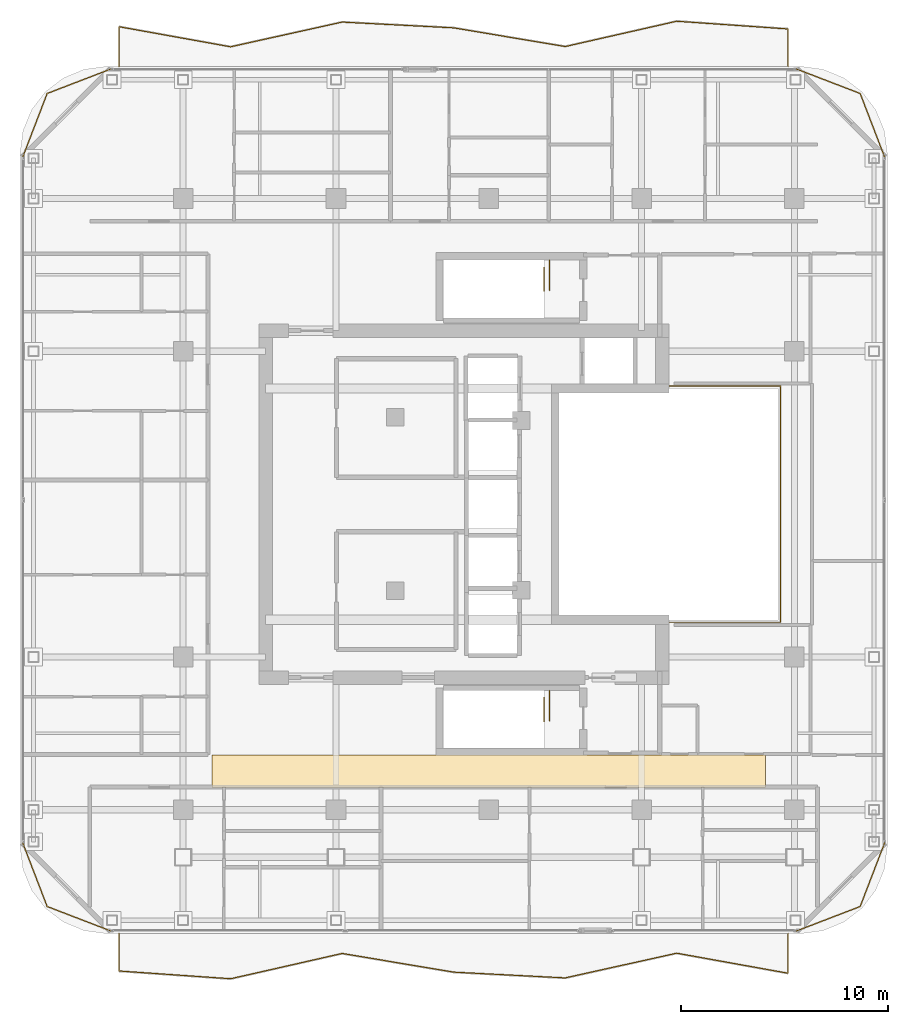
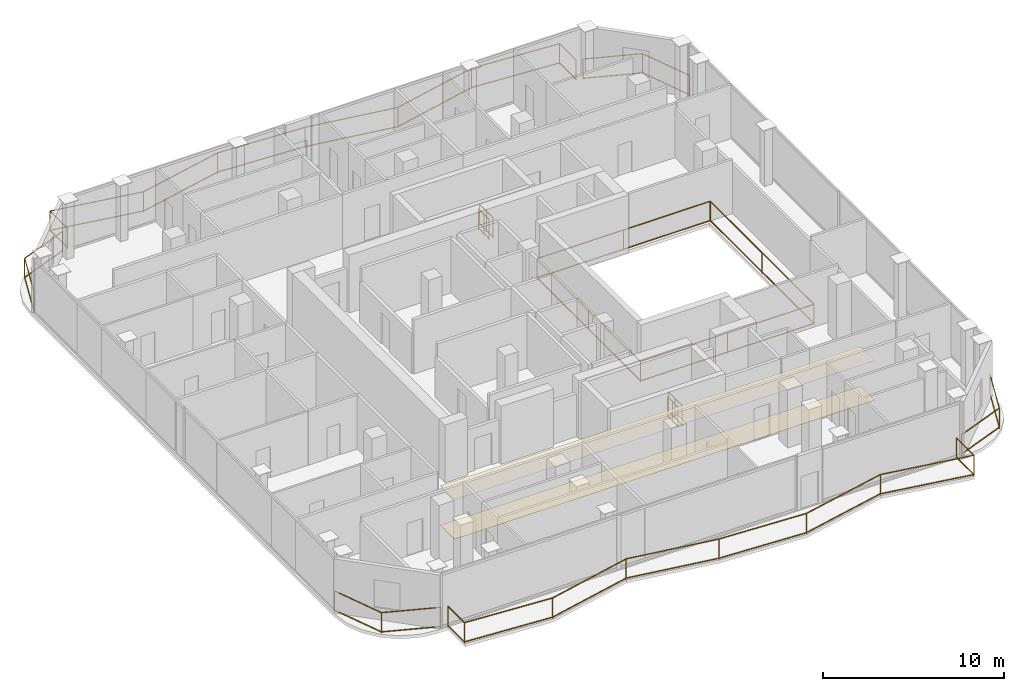
# One storey, part 22 of 22: 11 railings, 2 coverings.
"""IFC4 building model written with IfcOpenShell, lengths in metres."""

from ifc_helpers import new_model, si_unit, direction, frame, origin, origin_2d, place, context, subcontext, project, spatial, polyline, rectangle, outline, extrude, material, layer, layer_set, type_object, element, save


model = new_model("IFC4")

# Units and contexts
model_context = context("Model", 3, precision=1e-05, world=origin(), true_north=direction((0.0, 1.0)))
body_context = subcontext(model_context, "Body", "Model", "MODEL_VIEW")
ifc_project = project(units=[si_unit("LENGTHUNIT", "METRE"), si_unit("AREAUNIT", "SQUARE_METRE"), si_unit("VOLUMEUNIT", "CUBIC_METRE"), si_unit("PLANEANGLEUNIT", "RADIAN"), si_unit("MASSUNIT", "GRAM", prefix="KILO")], contexts=[model_context])

# Site, building, storey
site_placement = place(None, origin())
site = spatial("IfcSite", under=ifc_project, at=site_placement, CompositionType="ELEMENT")
building_placement = place(site_placement, origin())
building = spatial("IfcBuilding", under=site, at=building_placement, Name="Khorvyn Point Tower", CompositionType="ELEMENT")
storey_placement = place(building_placement, frame((0.0, 0.0, 309.300048828125)))
storey = spatial("IfcBuildingStorey", under=building, at=storey_placement, Name="L76", CompositionType="ELEMENT", Elevation=309.300048828125)

# Railings
ifc_material_1 = material(Name="Stainless steel 1.4401 and laminated glass", Category="steel")
railing_type_1 = type_object("IfcRailingType", Name="Crystal Atrium Smoke-Rated Perimeter Guardrail 1400", PredefinedType="GUARDRAIL", material=ifc_material_1)
railing_1_placement = place(storey_placement, frame((3.080078125, -5.719970703125, 0.0)))
element("IfcRailing", 1, at=railing_1_placement, inside=storey, type_object=railing_type_1, Name="L76 Crystal Atrium Perimeter Guardrail", PredefinedType="GUARDRAIL", context=body_context, shape_type="SweptSolid", body=[
    extrude(rectangle(XDim=0.048095703125, YDim=0.048095703125, at=origin_2d()), frame((0.0, 0.0, 1.3759765625), z_axis=(1.0, 0.0, 0.0), x_axis=(0.0, 1.0, 0.0)), (0.0, 0.0, 1.0), 11.0400390625),
    extrude(rectangle(XDim=0.048095703125, YDim=0.048095703125, at=origin_2d()), frame((0.0, 0.0, 0.080078125), z_axis=(1.0, 0.0, 0.0), x_axis=(0.0, 1.0, 0.0)), (0.0, 0.0, 1.0), 11.0400390625),
    extrude(rectangle(XDim=0.048095703125, YDim=0.048095703125, at=origin_2d()), frame((11.0400390625, 0.0, 1.3759765625), z_axis=(0.0, 1.0, 0.0), x_axis=(-1.0, 0.0, 0.0)), (0.0, 0.0, 1.0), 11.43994140625),
    extrude(rectangle(XDim=0.048095703125, YDim=0.048095703125, at=origin_2d()), frame((11.0400390625, 0.0, 0.080078125), z_axis=(0.0, 1.0, 0.0), x_axis=(-1.0, 0.0, 0.0)), (0.0, 0.0, 1.0), 11.43994140625),
    extrude(rectangle(XDim=0.048095703125, YDim=0.048095703125, at=origin_2d()), frame((11.0400390625, 11.43994140625, 1.3759765625), z_axis=(-1.0, 0.0, 0.0), x_axis=(0.0, -1.0, 0.0)), (0.0, 0.0, 1.0), 11.0400390625),
    extrude(rectangle(XDim=0.048095703125, YDim=0.048095703125, at=origin_2d()), frame((11.0400390625, 11.43994140625, 0.080078125), z_axis=(-1.0, 0.0, 0.0), x_axis=(0.0, -1.0, 0.0)), (0.0, 0.0, 1.0), 11.0400390625),
    extrude(rectangle(XDim=0.048095703125, YDim=0.048095703125, at=origin_2d()), frame((0.0, 11.43994140625, 1.3759765625), z_axis=(0.0, -1.0, 0.0), x_axis=(1.0, 0.0, 0.0)), (0.0, 0.0, 1.0), 11.409912109375),
    extrude(rectangle(XDim=0.048095703125, YDim=0.048095703125, at=origin_2d()), frame((0.0, 11.43994140625, 0.080078125), z_axis=(0.0, -1.0, 0.0), x_axis=(1.0, 0.0, 0.0)), (0.0, 0.0, 1.0), 11.409912109375),
    extrude(rectangle(XDim=0.0419921875, YDim=0.0419921875, at=origin_2d()), origin(), (0.0, 0.0, 1.0), 1.351806640625),
    extrude(rectangle(XDim=0.0419921875, YDim=0.0419921875, at=origin_2d()), frame((5.52001953125, 0.0, 0.0)), (0.0, 0.0, 1.0), 1.351806640625),
    extrude(rectangle(XDim=0.0419921875, YDim=0.0419921875, at=origin_2d()), frame((11.0400390625, 0.0, 0.0)), (0.0, 0.0, 1.0), 1.351806640625),
    extrude(rectangle(XDim=0.0419921875, YDim=0.0419921875, at=origin_2d()), frame((11.0400390625, 5.719970703125, 0.0)), (0.0, 0.0, 1.0), 1.351806640625),
    extrude(rectangle(XDim=0.0419921875, YDim=0.0419921875, at=origin_2d()), frame((11.0400390625, 11.43994140625, 0.0)), (0.0, 0.0, 1.0), 1.351806640625),
    extrude(rectangle(XDim=0.0419921875, YDim=0.0419921875, at=origin_2d()), frame((5.52001953125, 11.43994140625, 0.0)), (0.0, 0.0, 1.0), 1.351806640625),
    extrude(rectangle(XDim=0.0419921875, YDim=0.0419921875, at=origin_2d()), frame((0.0, 11.43994140625, 0.0)), (0.0, 0.0, 1.0), 1.351806640625),
    extrude(rectangle(XDim=0.0419921875, YDim=0.0419921875, at=origin_2d()), frame((0.0, 5.73486328125, 0.0)), (0.0, 0.0, 1.0), 1.351806640625),
    extrude(rectangle(XDim=0.0419921875, YDim=0.0419921875, at=origin_2d()), frame((0.0, 0.030029296875, 0.0)), (0.0, 0.0, 1.0), 1.351806640625),
])
ifc_material_2 = material(Name="Anodised aluminium 6063-T6 and laminated safety glass", Category="aluminium")
railing_type_2 = type_object("IfcRailingType", Name="Laminated Glass and Aluminium Balcony Guardrail 1400", PredefinedType="BALUSTRADE", material=ifc_material_2)
railing_2_placement = place(storey_placement, frame((-22.574462890625, -16.386474609375, 0.0)))
element("IfcRailing", 2, at=railing_2_placement, inside=storey, type_object=railing_type_2, Name="L76 Rounded Corner Edge Guardrail SW", PredefinedType="BALUSTRADE", context=body_context, shape_type="SweptSolid", body=[
    extrude(rectangle(XDim=0.048095703125, YDim=0.048095703125, at=origin_2d()), frame((0.0, 0.0, 1.3759765625), z_axis=(0.358367799998, -0.933580483903, 0.0), x_axis=(0.933580483903, 0.358367799998, 0.0)), (0.0, 0.0, 1.0), 3.319091796875),
    extrude(rectangle(XDim=0.048095703125, YDim=0.048095703125, at=origin_2d()), frame((0.0, 0.0, 0.080078125), z_axis=(0.358367799998, -0.933580483903, 0.0), x_axis=(0.933580483903, 0.358367799998, 0.0)), (0.0, 0.0, 1.0), 3.319091796875),
    extrude(rectangle(XDim=0.048095703125, YDim=0.048095703125, at=origin_2d()), frame((1.189453125, -3.0986328125, 1.3759765625), z_axis=(0.933595647299, -0.358328295484, 0.0), x_axis=(0.358328295484, 0.933595647299, 0.0)), (0.0, 0.0, 1.0), 3.31884765625),
    extrude(rectangle(XDim=0.048095703125, YDim=0.048095703125, at=origin_2d()), frame((1.189453125, -3.0986328125, 0.080078125), z_axis=(0.933595647299, -0.358328295484, 0.0), x_axis=(0.358328295484, 0.933595647299, 0.0)), (0.0, 0.0, 1.0), 3.31884765625),
    extrude(rectangle(XDim=0.0419921875, YDim=0.0419921875, at=origin_2d()), origin(), (0.0, 0.0, 1.0), 1.351806640625),
    extrude(rectangle(XDim=0.0419921875, YDim=0.0419921875, at=origin_2d()), frame((1.189453125, -3.0986328125, 0.0)), (0.0, 0.0, 1.0), 1.351806640625),
    extrude(rectangle(XDim=0.0419921875, YDim=0.0419921875, at=origin_2d()), frame((4.287841796875, -4.287841796875, 0.0)), (0.0, 0.0, 1.0), 1.351806640625),
])
railing_3_placement = place(storey_placement, frame((-18.28662109375, 21.074462890625, 0.0)))
element("IfcRailing", 3, at=railing_3_placement, inside=storey, type_object=railing_type_2, Name="L76 Rounded Corner Edge Guardrail NW", PredefinedType="BALUSTRADE", context=body_context, shape_type="SweptSolid", body=[
    extrude(rectangle(XDim=0.048095703125, YDim=0.048095703125, at=origin_2d()), frame((0.0, 0.0, 1.3759765625), z_axis=(-0.93357103624, -0.358392411044, 0.0), x_axis=(0.358392411044, -0.93357103624, 0.0)), (0.0, 0.0, 1.0), 3.31884765625),
    extrude(rectangle(XDim=0.048095703125, YDim=0.048095703125, at=origin_2d()), frame((0.0, 0.0, 0.080078125), z_axis=(-0.93357103624, -0.358392411044, 0.0), x_axis=(0.358392411044, -0.93357103624, 0.0)), (0.0, 0.0, 1.0), 3.31884765625),
    extrude(rectangle(XDim=0.048095703125, YDim=0.048095703125, at=origin_2d()), frame((-3.098388671875, -1.189453125, 1.3759765625), z_axis=(-0.358392411044, -0.93357103624, 0.0), x_axis=(0.93357103624, -0.358392411044, 0.0)), (0.0, 0.0, 1.0), 3.31884765625),
    extrude(rectangle(XDim=0.048095703125, YDim=0.048095703125, at=origin_2d()), frame((-3.098388671875, -1.189453125, 0.080078125), z_axis=(-0.358392411044, -0.93357103624, 0.0), x_axis=(0.93357103624, -0.358392411044, 0.0)), (0.0, 0.0, 1.0), 3.31884765625),
    extrude(rectangle(XDim=0.0419921875, YDim=0.0419921875, at=origin_2d()), origin(), (0.0, 0.0, 1.0), 1.351806640625),
    extrude(rectangle(XDim=0.0419921875, YDim=0.0419921875, at=origin_2d()), frame((-3.098388671875, -1.189453125, 0.0)), (0.0, 0.0, 1.0), 1.351806640625),
    extrude(rectangle(XDim=0.0419921875, YDim=0.0419921875, at=origin_2d()), frame((-4.287841796875, -4.287841796875, 0.0)), (0.0, 0.0, 1.0), 1.351806640625),
])
railing_4_placement = place(storey_placement, frame((19.17431640625, 16.78662109375, 0.0)))
element("IfcRailing", 4, at=railing_4_placement, inside=storey, type_object=railing_type_2, Name="L76 Rounded Corner Edge Guardrail NE", PredefinedType="BALUSTRADE", context=body_context, shape_type="SweptSolid", body=[
    extrude(rectangle(XDim=0.048095703125, YDim=0.048095703125, at=origin_2d()), frame((0.0, 0.0, 1.3759765625), z_axis=(-0.358328295484, 0.933595647299, 0.0), x_axis=(-0.933595647299, -0.358328295484, 0.0)), (0.0, 0.0, 1.0), 3.31884765625),
    extrude(rectangle(XDim=0.048095703125, YDim=0.048095703125, at=origin_2d()), frame((0.0, 0.0, 0.080078125), z_axis=(-0.358328295484, 0.933595647299, 0.0), x_axis=(-0.933595647299, -0.358328295484, 0.0)), (0.0, 0.0, 1.0), 3.31884765625),
    extrude(rectangle(XDim=0.048095703125, YDim=0.048095703125, at=origin_2d()), frame((-1.189208984375, 3.098388671875, 1.3759765625), z_axis=(-0.933580483903, 0.358367799998, 0.0), x_axis=(-0.358367799998, -0.933580483903, 0.0)), (0.0, 0.0, 1.0), 3.319091796875),
    extrude(rectangle(XDim=0.048095703125, YDim=0.048095703125, at=origin_2d()), frame((-1.189208984375, 3.098388671875, 0.080078125), z_axis=(-0.933580483903, 0.358367799998, 0.0), x_axis=(-0.358367799998, -0.933580483903, 0.0)), (0.0, 0.0, 1.0), 3.319091796875),
    extrude(rectangle(XDim=0.0419921875, YDim=0.0419921875, at=origin_2d()), origin(), (0.0, 0.0, 1.0), 1.351806640625),
    extrude(rectangle(XDim=0.0419921875, YDim=0.0419921875, at=origin_2d()), frame((-1.189208984375, 3.098388671875, 0.0)), (0.0, 0.0, 1.0), 1.351806640625),
    extrude(rectangle(XDim=0.0419921875, YDim=0.0419921875, at=origin_2d()), frame((-4.287841796875, 4.287841796875, 0.0)), (0.0, 0.0, 1.0), 1.351806640625),
])
railing_5_placement = place(storey_placement, frame((14.886474609375, -20.67431640625, 0.0)))
element("IfcRailing", 5, at=railing_5_placement, inside=storey, type_object=railing_type_2, Name="L76 Rounded Corner Edge Guardrail SE", PredefinedType="BALUSTRADE", context=body_context, shape_type="SweptSolid", body=[
    extrude(rectangle(XDim=0.048095703125, YDim=0.048095703125, at=origin_2d()), frame((0.0, 0.0, 1.3759765625), z_axis=(0.933605091831, 0.358303687544, 0.0), x_axis=(-0.358303687544, 0.933605091831, 0.0)), (0.0, 0.0, 1.0), 3.319091796875),
    extrude(rectangle(XDim=0.048095703125, YDim=0.048095703125, at=origin_2d()), frame((0.0, 0.0, 0.080078125), z_axis=(0.933605091831, 0.358303687544, 0.0), x_axis=(-0.358303687544, 0.933605091831, 0.0)), (0.0, 0.0, 1.0), 3.319091796875),
    extrude(rectangle(XDim=0.048095703125, YDim=0.048095703125, at=origin_2d()), frame((3.0986328125, 1.189208984375, 1.3759765625), z_axis=(0.358303687544, 0.933605091831, 0.0), x_axis=(-0.933605091831, 0.358303687544, 0.0)), (0.0, 0.0, 1.0), 3.319091796875),
    extrude(rectangle(XDim=0.048095703125, YDim=0.048095703125, at=origin_2d()), frame((3.0986328125, 1.189208984375, 0.080078125), z_axis=(0.358303687544, 0.933605091831, 0.0), x_axis=(-0.933605091831, 0.358303687544, 0.0)), (0.0, 0.0, 1.0), 3.319091796875),
    extrude(rectangle(XDim=0.0419921875, YDim=0.0419921875, at=origin_2d()), origin(), (0.0, 0.0, 1.0), 1.351806640625),
    extrude(rectangle(XDim=0.0419921875, YDim=0.0419921875, at=origin_2d()), frame((3.0986328125, 1.189208984375, 0.0)), (0.0, 0.0, 1.0), 1.351806640625),
    extrude(rectangle(XDim=0.0419921875, YDim=0.0419921875, at=origin_2d()), frame((4.287841796875, 4.287841796875, 0.0)), (0.0, 0.0, 1.0), 1.351806640625),
])
railing_6_placement = place(storey_placement, frame((14.5, 21.199951171875, 0.0)))
element("IfcRailing", 6, at=railing_6_placement, inside=storey, type_object=railing_type_2, Name="L76 North Balcony Guardrail", PredefinedType="BALUSTRADE", context=body_context, shape_type="SweptSolid", body=[
    extrude(rectangle(XDim=0.048095703125, YDim=0.048095703125, at=origin_2d()), frame((0.0, 0.0, 1.3759765625), z_axis=(0.0, 1.0, 0.0), x_axis=(-1.0, 0.0, 0.0)), (0.0, 0.0, 1.0), 1.808349609375),
    extrude(rectangle(XDim=0.048095703125, YDim=0.048095703125, at=origin_2d()), frame((0.0, 0.0, 0.080078125), z_axis=(0.0, 1.0, 0.0), x_axis=(-1.0, 0.0, 0.0)), (0.0, 0.0, 1.0), 1.808349609375),
    extrude(rectangle(XDim=0.048095703125, YDim=0.048095703125, at=origin_2d()), frame((0.0, 1.808349609375, 1.3759765625), z_axis=(-0.997597334379, 0.069278845538, 0.0), x_axis=(-0.069278845538, -0.997597334379, 0.0)), (0.0, 0.0, 1.0), 5.412841796875),
    extrude(rectangle(XDim=0.048095703125, YDim=0.048095703125, at=origin_2d()), frame((0.0, 1.808349609375, 0.080078125), z_axis=(-0.997597334379, 0.069278845538, 0.0), x_axis=(-0.069278845538, -0.997597334379, 0.0)), (0.0, 0.0, 1.0), 5.412841796875),
    extrude(rectangle(XDim=0.048095703125, YDim=0.048095703125, at=origin_2d()), frame((-5.39990234375, 2.183349609375, 1.3759765625), z_axis=(-0.975180905151, -0.221409580255, 0.0), x_axis=(0.221409580255, -0.975180905151, 0.0)), (0.0, 0.0, 1.0), 5.53759765625),
    extrude(rectangle(XDim=0.048095703125, YDim=0.048095703125, at=origin_2d()), frame((-5.39990234375, 2.183349609375, 0.080078125), z_axis=(-0.975180905151, -0.221409580255, 0.0), x_axis=(0.221409580255, -0.975180905151, 0.0)), (0.0, 0.0, 1.0), 5.53759765625),
    extrude(rectangle(XDim=0.048095703125, YDim=0.048095703125, at=origin_2d()), frame((-10.800048828125, 0.957275390625, 1.3759765625), z_axis=(-0.986207710902, 0.165512389134, 0.0), x_axis=(-0.165512389134, -0.986207710902, 0.0)), (0.0, 0.0, 1.0), 5.475341796875),
    extrude(rectangle(XDim=0.048095703125, YDim=0.048095703125, at=origin_2d()), frame((-10.800048828125, 0.957275390625, 0.080078125), z_axis=(-0.986207710902, 0.165512389134, 0.0), x_axis=(-0.165512389134, -0.986207710902, 0.0)), (0.0, 0.0, 1.0), 5.475341796875),
    extrude(rectangle(XDim=0.048095703125, YDim=0.048095703125, at=origin_2d()), frame((-16.199951171875, 1.863525390625, 1.3759765625), z_axis=(-0.99866751363, 0.051606174243, 0.0), x_axis=(-0.051606174243, -0.99866751363, 0.0)), (0.0, 0.0, 1.0), 5.407470703125),
    extrude(rectangle(XDim=0.048095703125, YDim=0.048095703125, at=origin_2d()), frame((-16.199951171875, 1.863525390625, 0.080078125), z_axis=(-0.99866751363, 0.051606174243, 0.0), x_axis=(-0.051606174243, -0.99866751363, 0.0)), (0.0, 0.0, 1.0), 5.407470703125),
    extrude(rectangle(XDim=0.048095703125, YDim=0.048095703125, at=origin_2d()), frame((-21.60009765625, 2.142578125, 1.3759765625), z_axis=(-0.976262815512, -0.216589277318, 0.0), x_axis=(0.216589277318, -0.976262815512, 0.0)), (0.0, 0.0, 1.0), 5.53125),
    extrude(rectangle(XDim=0.048095703125, YDim=0.048095703125, at=origin_2d()), frame((-21.60009765625, 2.142578125, 0.080078125), z_axis=(-0.976262815512, -0.216589277318, 0.0), x_axis=(0.216589277318, -0.976262815512, 0.0)), (0.0, 0.0, 1.0), 5.53125),
    extrude(rectangle(XDim=0.048095703125, YDim=0.048095703125, at=origin_2d()), frame((-27.0, 0.944580078125, 1.3759765625), z_axis=(-0.98416190493, 0.17727195177, 0.0), x_axis=(-0.17727195177, -0.98416190493, 0.0)), (0.0, 0.0, 1.0), 5.48681640625),
    extrude(rectangle(XDim=0.048095703125, YDim=0.048095703125, at=origin_2d()), frame((-27.0, 0.944580078125, 0.080078125), z_axis=(-0.98416190493, 0.17727195177, 0.0), x_axis=(-0.17727195177, -0.98416190493, 0.0)), (0.0, 0.0, 1.0), 5.48681640625),
    extrude(rectangle(XDim=0.048095703125, YDim=0.048095703125, at=origin_2d()), frame((-32.39990234375, 1.917236328125, 1.3759765625), z_axis=(0.0, -1.0, 0.0), x_axis=(1.0, 0.0, 0.0)), (0.0, 0.0, 1.0), 1.917236328125),
    extrude(rectangle(XDim=0.048095703125, YDim=0.048095703125, at=origin_2d()), frame((-32.39990234375, 1.917236328125, 0.080078125), z_axis=(0.0, -1.0, 0.0), x_axis=(1.0, 0.0, 0.0)), (0.0, 0.0, 1.0), 1.917236328125),
    extrude(rectangle(XDim=0.0419921875, YDim=0.0419921875, at=origin_2d()), origin(), (0.0, 0.0, 1.0), 1.351806640625),
    extrude(rectangle(XDim=0.0419921875, YDim=0.0419921875, at=origin_2d()), frame((0.0, 1.808349609375, 0.0)), (0.0, 0.0, 1.0), 1.351806640625),
    extrude(rectangle(XDim=0.0419921875, YDim=0.0419921875, at=origin_2d()), frame((-5.39990234375, 2.183349609375, 0.0)), (0.0, 0.0, 1.0), 1.351806640625),
    extrude(rectangle(XDim=0.0419921875, YDim=0.0419921875, at=origin_2d()), frame((-10.800048828125, 0.957275390625, 0.0)), (0.0, 0.0, 1.0), 1.351806640625),
    extrude(rectangle(XDim=0.0419921875, YDim=0.0419921875, at=origin_2d()), frame((-16.199951171875, 1.863525390625, 0.0)), (0.0, 0.0, 1.0), 1.351806640625),
    extrude(rectangle(XDim=0.0419921875, YDim=0.0419921875, at=origin_2d()), frame((-21.60009765625, 2.142578125, 0.0)), (0.0, 0.0, 1.0), 1.351806640625),
    extrude(rectangle(XDim=0.0419921875, YDim=0.0419921875, at=origin_2d()), frame((-27.0, 0.944580078125, 0.0)), (0.0, 0.0, 1.0), 1.351806640625),
    extrude(rectangle(XDim=0.0419921875, YDim=0.0419921875, at=origin_2d()), frame((-32.39990234375, 1.917236328125, 0.0)), (0.0, 0.0, 1.0), 1.351806640625),
    extrude(rectangle(XDim=0.0419921875, YDim=0.0419921875, at=origin_2d()), frame((-32.39990234375, 0.0, 0.0)), (0.0, 0.0, 1.0), 1.351806640625),
])
railing_7_placement = place(storey_placement, frame((-17.89990234375, -20.800048828125, 0.0)))
element("IfcRailing", 7, at=railing_7_placement, inside=storey, type_object=railing_type_2, Name="L76 South Balcony Guardrail", PredefinedType="BALUSTRADE", context=body_context, shape_type="SweptSolid", body=[
    extrude(rectangle(XDim=0.048095703125, YDim=0.048095703125, at=origin_2d()), frame((0.0, 0.0, 1.3759765625), z_axis=(0.0, -1.0, 0.0), x_axis=(1.0, 0.0, 0.0)), (0.0, 0.0, 1.0), 1.80810546875),
    extrude(rectangle(XDim=0.048095703125, YDim=0.048095703125, at=origin_2d()), frame((0.0, 0.0, 0.080078125), z_axis=(0.0, -1.0, 0.0), x_axis=(1.0, 0.0, 0.0)), (0.0, 0.0, 1.0), 1.80810546875),
    extrude(rectangle(XDim=0.048095703125, YDim=0.048095703125, at=origin_2d()), frame((0.0, -1.80810546875, 1.3759765625), z_axis=(0.997594216174, -0.069323732266, 0.0), x_axis=(0.069323732266, 0.997594216174, 0.0)), (0.0, 0.0, 1.0), 5.412841796875),
    extrude(rectangle(XDim=0.048095703125, YDim=0.048095703125, at=origin_2d()), frame((0.0, -1.80810546875, 0.080078125), z_axis=(0.997594216174, -0.069323732266, 0.0), x_axis=(0.069323732266, 0.997594216174, 0.0)), (0.0, 0.0, 1.0), 5.412841796875),
    extrude(rectangle(XDim=0.048095703125, YDim=0.048095703125, at=origin_2d()), frame((5.39990234375, -2.183349609375, 1.3759765625), z_axis=(0.9751692229, 0.221461027517, 0.0), x_axis=(-0.221461027517, 0.9751692229, 0.0)), (0.0, 0.0, 1.0), 5.537353515625),
    extrude(rectangle(XDim=0.048095703125, YDim=0.048095703125, at=origin_2d()), frame((5.39990234375, -2.183349609375, 0.080078125), z_axis=(0.9751692229, 0.221461027517, 0.0), x_axis=(-0.221461027517, 0.9751692229, 0.0)), (0.0, 0.0, 1.0), 5.537353515625),
    extrude(rectangle(XDim=0.048095703125, YDim=0.048095703125, at=origin_2d()), frame((10.7998046875, -0.95703125, 1.3759765625), z_axis=(0.986208932294, -0.165505111292, 0.0), x_axis=(0.165505111292, 0.986208932294, 0.0)), (0.0, 0.0, 1.0), 5.4755859375),
    extrude(rectangle(XDim=0.048095703125, YDim=0.048095703125, at=origin_2d()), frame((10.7998046875, -0.95703125, 0.080078125), z_axis=(0.986208932294, -0.165505111292, 0.0), x_axis=(0.165505111292, 0.986208932294, 0.0)), (0.0, 0.0, 1.0), 5.4755859375),
    extrude(rectangle(XDim=0.048095703125, YDim=0.048095703125, at=origin_2d()), frame((16.199951171875, -1.86328125, 1.3759765625), z_axis=(0.998665065258, -0.051653532628, 0.0), x_axis=(0.051653532628, 0.998665065258, 0.0)), (0.0, 0.0, 1.0), 5.4072265625),
    extrude(rectangle(XDim=0.048095703125, YDim=0.048095703125, at=origin_2d()), frame((16.199951171875, -1.86328125, 0.080078125), z_axis=(0.998665065258, -0.051653532628, 0.0), x_axis=(0.051653532628, 0.998665065258, 0.0)), (0.0, 0.0, 1.0), 5.4072265625),
    extrude(rectangle(XDim=0.048095703125, YDim=0.048095703125, at=origin_2d()), frame((21.599853515625, -2.142578125, 1.3759765625), z_axis=(0.976264885971, 0.216579944639, 0.0), x_axis=(-0.216579944639, 0.976264885971, 0.0)), (0.0, 0.0, 1.0), 5.531494140625),
    extrude(rectangle(XDim=0.048095703125, YDim=0.048095703125, at=origin_2d()), frame((21.599853515625, -2.142578125, 0.080078125), z_axis=(0.976264885971, 0.216579944639, 0.0), x_axis=(-0.216579944639, 0.976264885971, 0.0)), (0.0, 0.0, 1.0), 5.531494140625),
    extrude(rectangle(XDim=0.048095703125, YDim=0.048095703125, at=origin_2d()), frame((27.0, -0.944580078125, 1.3759765625), z_axis=(0.98416190493, -0.17727195177, 0.0), x_axis=(0.17727195177, 0.98416190493, 0.0)), (0.0, 0.0, 1.0), 5.48681640625),
    extrude(rectangle(XDim=0.048095703125, YDim=0.048095703125, at=origin_2d()), frame((27.0, -0.944580078125, 0.080078125), z_axis=(0.98416190493, -0.17727195177, 0.0), x_axis=(0.17727195177, 0.98416190493, 0.0)), (0.0, 0.0, 1.0), 5.48681640625),
    extrude(rectangle(XDim=0.048095703125, YDim=0.048095703125, at=origin_2d()), frame((32.39990234375, -1.917236328125, 1.3759765625), z_axis=(0.0, 1.0, 0.0), x_axis=(-1.0, 0.0, 0.0)), (0.0, 0.0, 1.0), 1.917236328125),
    extrude(rectangle(XDim=0.048095703125, YDim=0.048095703125, at=origin_2d()), frame((32.39990234375, -1.917236328125, 0.080078125), z_axis=(0.0, 1.0, 0.0), x_axis=(-1.0, 0.0, 0.0)), (0.0, 0.0, 1.0), 1.917236328125),
    extrude(rectangle(XDim=0.0419921875, YDim=0.0419921875, at=origin_2d()), origin(), (0.0, 0.0, 1.0), 1.351806640625),
    extrude(rectangle(XDim=0.0419921875, YDim=0.0419921875, at=origin_2d()), frame((0.0, -1.80810546875, 0.0)), (0.0, 0.0, 1.0), 1.351806640625),
    extrude(rectangle(XDim=0.0419921875, YDim=0.0419921875, at=origin_2d()), frame((5.39990234375, -2.183349609375, 0.0)), (0.0, 0.0, 1.0), 1.351806640625),
    extrude(rectangle(XDim=0.0419921875, YDim=0.0419921875, at=origin_2d()), frame((10.7998046875, -0.95703125, 0.0)), (0.0, 0.0, 1.0), 1.351806640625),
    extrude(rectangle(XDim=0.0419921875, YDim=0.0419921875, at=origin_2d()), frame((16.199951171875, -1.86328125, 0.0)), (0.0, 0.0, 1.0), 1.351806640625),
    extrude(rectangle(XDim=0.0419921875, YDim=0.0419921875, at=origin_2d()), frame((21.599853515625, -2.142578125, 0.0)), (0.0, 0.0, 1.0), 1.351806640625),
    extrude(rectangle(XDim=0.0419921875, YDim=0.0419921875, at=origin_2d()), frame((27.0, -0.944580078125, 0.0)), (0.0, 0.0, 1.0), 1.351806640625),
    extrude(rectangle(XDim=0.0419921875, YDim=0.0419921875, at=origin_2d()), frame((32.39990234375, -1.917236328125, 0.0)), (0.0, 0.0, 1.0), 1.351806640625),
    extrude(rectangle(XDim=0.0419921875, YDim=0.0419921875, at=origin_2d()), frame((32.39990234375, 0.0, 0.0)), (0.0, 0.0, 1.0), 1.351806640625),
])

# Coverings
ifc_material_3 = material(Name="Mineral-fibre acoustic ceiling board", Category="gypsum")
ifc_layer_1 = layer(ifc_material_3, 0.02001953125)
ifc_layer_set_1 = layer_set([ifc_layer_1], Name="Perforated Mineral-Fibre Acoustic Suspended Ceiling 20")
covering_type_1 = type_object("IfcCoveringType", Name="Perforated Mineral-Fibre Acoustic Suspended Ceiling 20", PredefinedType="CEILING", material=ifc_layer_set_1)
covering_1_placement = place(storey_placement, frame((0.0, 0.0, 2.659912109375)))
element("IfcCovering", 8, at=covering_1_placement, inside=storey, type_object=covering_type_1, Name="L76 South Corridor Acoustic Ceiling", PredefinedType="CEILING", context=body_context, shape_type="SweptSolid", body=[
    extrude(outline(polyline([(-13.39990234375, -13.7099609375), (13.39990234375, -13.7099609375), (13.39990234375, -12.139892578125), (-13.39990234375, -12.139892578125), (-13.39990234375, -13.7099609375)])), origin(), (0.0, 0.0, 1.0), 0.02001953125),
])
ifc_material_4 = material(Name="Vitrified porcelain terrazzo tile", Category="ceramic")
ifc_layer_2 = layer(ifc_material_4, 0.01806640625)
ifc_layer_set_2 = layer_set([ifc_layer_2], Name="Porcelain Terrazzo Corridor Floor Finish Tile 18")
covering_type_2 = type_object("IfcCoveringType", Name="Porcelain Terrazzo Corridor Floor Finish Tile 18", PredefinedType="FLOORING", material=ifc_layer_set_2)
covering_2_placement = place(storey_placement, origin())
element("IfcCovering", 9, at=covering_2_placement, inside=storey, type_object=covering_type_2, Name="L76 South Corridor Terrazzo Flooring", PredefinedType="FLOORING", context=body_context, shape_type="SweptSolid", body=[
    extrude(outline(polyline([(-13.39990234375, -13.7099609375), (13.39990234375, -13.7099609375), (13.39990234375, -12.139892578125), (-13.39990234375, -12.139892578125), (-13.39990234375, -13.7099609375)])), origin(), (0.0, 0.0, 1.0), 0.01806640625),
])

# Railings
ifc_material_5 = material(Name="Stainless steel 1.4301", Category="steel")
railing_type_3 = type_object("IfcRailingType", Name="Stainless Steel 304 Stair Well Guardrail 1400", PredefinedType="GUARDRAIL", material=ifc_material_5)
railing_8_placement = place(storey_placement, frame((2.949951171875, -9.02001953125, 0.0)))
element("IfcRailing", 10, at=railing_8_placement, inside=storey, type_object=railing_type_3, Name="L76 ST-01 top well guard 1", PredefinedType="GUARDRAIL", context=body_context, shape_type="SweptSolid", body=[
    extrude(rectangle(XDim=0.048095703125, YDim=0.048095703125, at=origin_2d()), frame((0.0, 0.0, 1.3759765625), z_axis=(0.0, -1.0, 0.0), x_axis=(1.0, 0.0, 0.0)), (0.0, 0.0, 1.0), 1.47998046875),
    extrude(rectangle(XDim=0.048095703125, YDim=0.048095703125, at=origin_2d()), frame((0.0, 0.0, 0.080078125), z_axis=(0.0, -1.0, 0.0), x_axis=(1.0, 0.0, 0.0)), (0.0, 0.0, 1.0), 1.47998046875),
    extrude(rectangle(XDim=0.0419921875, YDim=0.0419921875, at=origin_2d()), origin(), (0.0, 0.0, 1.0), 1.351806640625),
    extrude(rectangle(XDim=0.0419921875, YDim=0.0419921875, at=origin_2d()), frame((0.0, -0.739990234375, 0.0)), (0.0, 0.0, 1.0), 1.351806640625),
    extrude(rectangle(XDim=0.0419921875, YDim=0.0419921875, at=origin_2d()), frame((0.0, -1.47998046875, 0.0)), (0.0, 0.0, 1.0), 1.351806640625),
])
railing_9_placement = place(storey_placement, frame((2.679931640625, -10.52001953125, 0.0)))
element("IfcRailing", 11, at=railing_9_placement, inside=storey, type_object=railing_type_3, Name="L76 ST-01 Top-Well Lip Guardrail", PredefinedType="GUARDRAIL", context=body_context, shape_type="SweptSolid", body=[
    extrude(rectangle(XDim=0.048095703125, YDim=0.048095703125, at=origin_2d()), frame((0.0, 0.0, 1.3759765625), z_axis=(0.0, 1.0, 0.0), x_axis=(-1.0, 0.0, 0.0)), (0.0, 0.0, 1.0), 1.14990234375),
    extrude(rectangle(XDim=0.048095703125, YDim=0.048095703125, at=origin_2d()), frame((0.0, 0.0, 0.080078125), z_axis=(0.0, 1.0, 0.0), x_axis=(-1.0, 0.0, 0.0)), (0.0, 0.0, 1.0), 1.14990234375),
    extrude(rectangle(XDim=0.0419921875, YDim=0.0419921875, at=origin_2d()), origin(), (0.0, 0.0, 1.0), 1.351806640625),
    extrude(rectangle(XDim=0.0419921875, YDim=0.0419921875, at=origin_2d()), frame((0.0, 0.574951171875, 0.0)), (0.0, 0.0, 1.0), 1.351806640625),
    extrude(rectangle(XDim=0.0419921875, YDim=0.0419921875, at=origin_2d()), frame((0.0, 1.14990234375, 0.0)), (0.0, 0.0, 1.0), 1.351806640625),
])
railing_10_placement = place(storey_placement, frame((2.949951171875, 11.820068359375, 0.0)))
element("IfcRailing", 12, at=railing_10_placement, inside=storey, type_object=railing_type_3, Name="L76 ST-02 top well guard 1", PredefinedType="GUARDRAIL", context=body_context, shape_type="SweptSolid", body=[
    extrude(rectangle(XDim=0.048095703125, YDim=0.048095703125, at=origin_2d()), frame((0.0, 0.0, 1.3759765625), z_axis=(0.0, -1.0, 0.0), x_axis=(1.0, 0.0, 0.0)), (0.0, 0.0, 1.0), 1.47998046875),
    extrude(rectangle(XDim=0.048095703125, YDim=0.048095703125, at=origin_2d()), frame((0.0, 0.0, 0.080078125), z_axis=(0.0, -1.0, 0.0), x_axis=(1.0, 0.0, 0.0)), (0.0, 0.0, 1.0), 1.47998046875),
    extrude(rectangle(XDim=0.0419921875, YDim=0.0419921875, at=origin_2d()), origin(), (0.0, 0.0, 1.0), 1.351806640625),
    extrude(rectangle(XDim=0.0419921875, YDim=0.0419921875, at=origin_2d()), frame((0.0, -0.739990234375, 0.0)), (0.0, 0.0, 1.0), 1.351806640625),
    extrude(rectangle(XDim=0.0419921875, YDim=0.0419921875, at=origin_2d()), frame((0.0, -1.47998046875, 0.0)), (0.0, 0.0, 1.0), 1.351806640625),
])
railing_11_placement = place(storey_placement, frame((2.679931640625, 10.320068359375, 0.0)))
element("IfcRailing", 13, at=railing_11_placement, inside=storey, type_object=railing_type_3, Name="L76 ST-02 Top-Well Lip Guardrail", PredefinedType="GUARDRAIL", context=body_context, shape_type="SweptSolid", body=[
    extrude(rectangle(XDim=0.048095703125, YDim=0.048095703125, at=origin_2d()), frame((0.0, 0.0, 1.3759765625), z_axis=(0.0, 1.0, 0.0), x_axis=(-1.0, 0.0, 0.0)), (0.0, 0.0, 1.0), 1.14990234375),
    extrude(rectangle(XDim=0.048095703125, YDim=0.048095703125, at=origin_2d()), frame((0.0, 0.0, 0.080078125), z_axis=(0.0, 1.0, 0.0), x_axis=(-1.0, 0.0, 0.0)), (0.0, 0.0, 1.0), 1.14990234375),
    extrude(rectangle(XDim=0.0419921875, YDim=0.0419921875, at=origin_2d()), origin(), (0.0, 0.0, 1.0), 1.351806640625),
    extrude(rectangle(XDim=0.0419921875, YDim=0.0419921875, at=origin_2d()), frame((0.0, 0.574951171875, 0.0)), (0.0, 0.0, 1.0), 1.351806640625),
    extrude(rectangle(XDim=0.0419921875, YDim=0.0419921875, at=origin_2d()), frame((0.0, 1.14990234375, 0.0)), (0.0, 0.0, 1.0), 1.351806640625),
])

save(model, "model.ifc")
